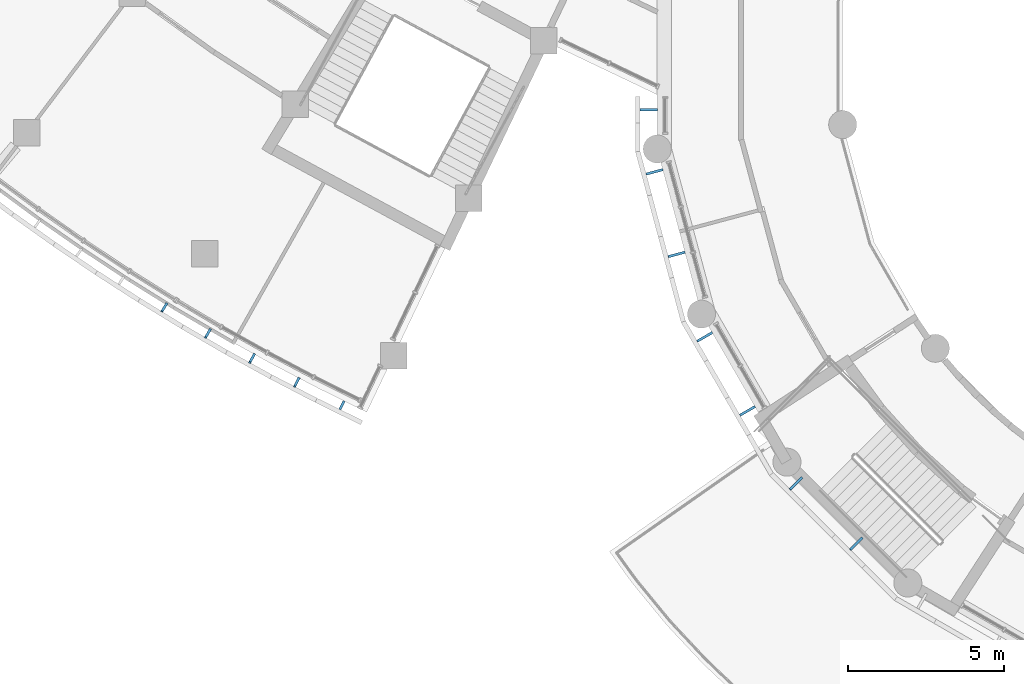
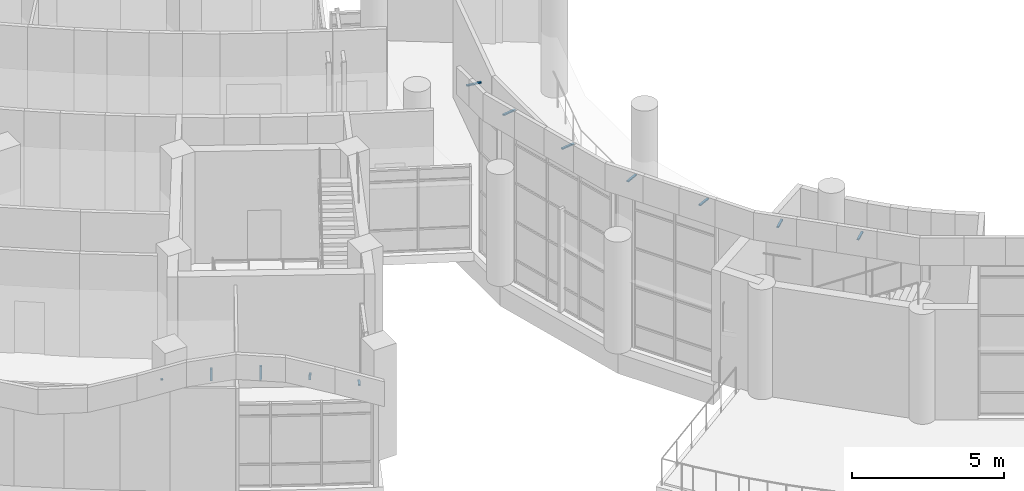
# One storey, part 101 of 136: 12 discrete accessories.
"""IFC4 building model written with IfcOpenShell, lengths in metres."""

import ifcopenshell
import ifcopenshell.guid

model = None  # the IFC model being written
_history = None  # IfcOwnerHistory: only IFC2X3 demands one
_inside = {}  # id of a spatial element -> (the spatial element, [elements in it])
_under = {}  # id of a project, library or spatial element -> (it, [spatial elements below it])
_declared = {}  # id of a project -> (the project, [libraries it declares])
_typed = {}  # id of a type object -> (the type object, [elements of that type])
_made_of = {}  # id of a material, layer set ... -> (it, [elements and type objects made of it])


def new_model(schema):
    """Start an empty IFC model of exactly this schema.

    Asked for "IFC4X3", IfcOpenShell would pick the latest addendum, in which some entities
    have other attributes; the version numbers below select the first issue.
    IFC2X3 requires an IfcOwnerHistory on every rooted entity: one is made here for all.
    """
    global model, _history
    if schema == "IFC4X3":
        model = ifcopenshell.file(schema_version=(4, 3, 0, 0))
    else:
        model = ifcopenshell.file(schema=schema)
    _inside.clear()
    _under.clear()
    _declared.clear()
    _typed.clear()
    _made_of.clear()
    _history = None
    if model.schema == "IFC2X3":
        org = make("IfcOrganization", Name="unknown")
        user = make(
            "IfcPersonAndOrganization",
            ThePerson=make("IfcPerson", FamilyName="unknown"),
            TheOrganization=org,
        )
        app = make(
            "IfcApplication",
            ApplicationDeveloper=org,
            Version="unknown",
            ApplicationFullName="unknown",
            ApplicationIdentifier="unknown",
        )
        _history = make(
            "IfcOwnerHistory",
            OwningUser=user,
            OwningApplication=app,
            ChangeAction="ADDED",
            CreationDate=0,
        )
    return model


def make(cls, **values):
    """One entity of the class cls with the attributes given. An attribute that is None is left unset."""
    return model.create_entity(
        cls, **{name: value for name, value in values.items() if value is not None}
    )


def rooted(cls, **values):
    """An entity with a GlobalId (a new one), such as an element, a storey or a relation."""
    return make(cls, GlobalId=ifcopenshell.guid.new(), OwnerHistory=_history, **values)


def si_unit(unit_type, name, prefix=None):
    """IfcSIUnit, for example si_unit("LENGTHUNIT", "METRE", prefix="MILLI")."""
    return make("IfcSIUnit", UnitType=unit_type, Prefix=prefix, Name=name)


def assignment(units):
    """IfcUnitAssignment: the units of a project."""
    return None if units is None else make("IfcUnitAssignment", Units=units)


def point(xyz):
    """IfcCartesianPoint."""
    return None if xyz is None else make("IfcCartesianPoint", Coordinates=xyz)


def direction(xyz):
    """IfcDirection."""
    return None if xyz is None else make("IfcDirection", DirectionRatios=xyz)


def frame(location, z_axis=None, x_axis=None):
    """IfcAxis2Placement3D, a coordinate frame: its origin and axes. An axis left out is left unset."""
    return make(
        "IfcAxis2Placement3D",
        Location=point(location),
        Axis=direction(z_axis),
        RefDirection=direction(x_axis),
    )


def frame_2d(location, x_axis=None):
    """IfcAxis2Placement2D, a coordinate frame in the plane: its origin and x axis."""
    return make(
        "IfcAxis2Placement2D", Location=point(location), RefDirection=direction(x_axis)
    )


def origin():
    """The frame at (0, 0, 0) with its axes left unset."""
    return frame((0.0, 0.0, 0.0))


def origin_2d():
    """The frame at (0, 0) in the plane with its x axis left unset."""
    return frame_2d((0.0, 0.0))


def place(relative_to, where):
    """IfcLocalPlacement: puts the frame where relative to a parent placement (None: the world)."""
    return make(
        "IfcLocalPlacement", PlacementRelTo=relative_to, RelativePlacement=where
    )


def context(
    kind, dimensions, precision=None, world=None, true_north=None, identifier=None
):
    """IfcGeometricRepresentationContext, for example the 3D "Model" context."""
    return make(
        "IfcGeometricRepresentationContext",
        ContextIdentifier=identifier,
        ContextType=kind,
        CoordinateSpaceDimension=dimensions,
        Precision=precision,
        WorldCoordinateSystem=world,
        TrueNorth=true_north,
    )


def subcontext(parent, identifier, kind, view, scale=None):
    """IfcGeometricRepresentationSubContext, for example "Body" below "Model"."""
    return make(
        "IfcGeometricRepresentationSubContext",
        ContextIdentifier=identifier,
        ContextType=kind,
        ParentContext=parent,
        TargetScale=scale,
        TargetView=view,
    )


def project(units=None, contexts=None):
    """IfcProject with its units and contexts."""
    return rooted(
        "IfcProject",
        Name="project",
        RepresentationContexts=contexts,
        UnitsInContext=assignment(units),
    )


def spatial(cls, under=None, at=None, **own):
    """A site, building, storey or space (cls), placed at a placement, below another one or the project."""
    s = rooted(cls, ObjectPlacement=at, **own)
    if under is not None:
        _under.setdefault(under.id(), (under, []))[1].append(s)
    return s


def profile(cls, at=None, kind="AREA", **sizes):
    """A parametric profile (cls). Its sizes go by their IFC names, for example OverallWidth=200.0."""
    return make(cls, ProfileType=kind, Position=at, **sizes)


def rectangle(**sizes):
    """IfcRectangleProfileDef."""
    return profile("IfcRectangleProfileDef", **sizes)


def extrude(swept, where, along, depth):
    """IfcExtrudedAreaSolid: the profile swept, set in the frame where, extruded along a direction by depth."""
    return make(
        "IfcExtrudedAreaSolid",
        SweptArea=swept,
        Position=where,
        ExtrudedDirection=direction(along),
        Depth=depth,
    )


def shape(context_of_items, identifier, shape_type, items):
    """IfcShapeRepresentation: the items that make up one representation, for example the "Body"."""
    return make(
        "IfcShapeRepresentation",
        ContextOfItems=context_of_items,
        RepresentationIdentifier=identifier,
        RepresentationType=shape_type,
        Items=items,
    )


def material(Name=None, Category=None):
    """IfcMaterial."""
    return make("IfcMaterial", Name=Name, Category=Category)


def material_profile(
    of_material, cross_section, Name=None, Category=None, Priority=None
):
    """IfcMaterialProfile: a cross section and its material."""
    return make(
        "IfcMaterialProfile",
        Name=Name,
        Material=of_material,
        Profile=cross_section,
        Priority=Priority,
        Category=Category,
    )


def profile_set(profiles, Name=None, composite=None):
    """IfcMaterialProfileSet."""
    return make(
        "IfcMaterialProfileSet",
        Name=Name,
        MaterialProfiles=profiles,
        CompositeProfile=composite,
    )


def made_of(thing, what):
    """Note that an element or type object is made of a material, layer set ...; save() writes the relation."""
    if what is not None:
        _made_of.setdefault(what.id(), (what, []))[1].append(thing)
    return thing


def type_object(cls, material=None, **own):
    """A type object (cls), such as IfcWallType, which elements share."""
    return made_of(rooted(cls, **own), material)


def element(
    cls,
    number,
    at=None,
    inside=None,
    cuts=None,
    type_object=None,
    material=None,
    context=None,
    identifier="Body",
    shape_type=None,
    held_by="IfcProductDefinitionShape",
    body=None,
    shapes=None,
    **own,
):
    """One element of the class cls, such as IfcWall. Its Tag is "e" and its number.

    at: its placement. inside: the storey or other place that contains it. cuts: it is an
    opening in that element (IfcRelVoidsElement). A single representation is given by context,
    identifier, shape_type and body (its items); several are given by shapes. held_by: the class
    of the entity that holds the representations. save() writes the other relations.
    """
    e = rooted(cls, Tag="e%d" % number, ObjectPlacement=at, **own)
    if body is not None:
        shapes = [shape(context, identifier, shape_type, body)]
    if shapes is not None:
        e.Representation = make(held_by, Representations=shapes)
    if inside is not None:
        _inside.setdefault(inside.id(), (inside, []))[1].append(e)
    if cuts is not None:
        rooted(
            "IfcRelVoidsElement", RelatingBuildingElement=cuts, RelatedOpeningElement=e
        )
    if type_object is not None:
        _typed.setdefault(type_object.id(), (type_object, []))[1].append(e)
    return made_of(e, material)


def aggregate(whole, parts):
    """IfcRelAggregates: a whole, such as a stair, and the parts it consists of."""
    return rooted("IfcRelAggregates", RelatingObject=whole, RelatedObjects=parts)


def save(model, path):
    """Write the relations noted so far, then the file.

    IfcRelAggregates (storeys below a building ...), IfcRelContainedInSpatialStructure (elements
    in a storey), IfcRelDefinesByType, IfcRelAssociatesMaterial and IfcRelDeclares: one each for
    every whole, place, type object, material and project.
    """
    for whole, parts in _under.values():
        aggregate(whole, parts)
    for where, things in _inside.values():
        rooted(
            "IfcRelContainedInSpatialStructure",
            RelatedElements=things,
            RelatingStructure=where,
        )
    for kind, things in _typed.values():
        rooted("IfcRelDefinesByType", RelatedObjects=things, RelatingType=kind)
    for what, things in _made_of.values():
        rooted("IfcRelAssociatesMaterial", RelatedObjects=things, RelatingMaterial=what)
    for by, libraries in _declared.values():
        rooted("IfcRelDeclares", RelatingContext=by, RelatedDefinitions=libraries)
    model.write(path)


model = new_model("IFC4")

# Units and contexts
model_context = context("Model", 3, precision=1e-05, world=origin(), true_north=direction((0.0, 1.0)))
body_context = subcontext(model_context, "Body", "Model", "MODEL_VIEW")
ifc_project = project(units=[si_unit("LENGTHUNIT", "METRE"), si_unit("AREAUNIT", "SQUARE_METRE"), si_unit("VOLUMEUNIT", "CUBIC_METRE"), si_unit("PLANEANGLEUNIT", "RADIAN"), si_unit("MASSUNIT", "GRAM", prefix="KILO")], contexts=[model_context])

# Site, building, storey
site_placement = place(None, origin())
site = spatial("IfcSite", under=ifc_project, at=site_placement, CompositionType="ELEMENT")
building_placement = place(site_placement, origin())
building = spatial("IfcBuilding", under=site, at=building_placement, Name="Bougainvillea Quay General Hospital", CompositionType="ELEMENT")
storey_placement = place(building_placement, frame((0.0, 0.0, 5.39990234375)))
storey = spatial("IfcBuildingStorey", under=building, at=storey_placement, Name="L01", CompositionType="ELEMENT", Elevation=5.39990234375)

# Discrete accessories
ifc_material = material(Name="Stainless steel bracket, grade 316", Category="steel")
ifc_material_profile = material_profile(ifc_material, rectangle(XDim=0.080078125, YDim=0.050048828125, at=origin_2d()))
ifc_profile_set = profile_set([ifc_material_profile], Name="Stainless steel bracket, grade 316")
discrete_accessory_type = type_object("IfcDiscreteAccessoryType", Name="Stainless steel stand-off bracket 80x50", PredefinedType="BRACKET", material=ifc_profile_set)
discrete_accessory_1_placement = place(storey_placement, frame((72.649658203125, 66.3056640625, 4.440185546875), z_axis=(-0.402567514544, -0.658175905213, 0.636194839676), x_axis=(0.853080554624, -0.521779232361, 0.0)))
element("IfcDiscreteAccessory", 1, at=discrete_accessory_1_placement, inside=storey, type_object=discrete_accessory_type, Name="Fascia bracket a01 31", PredefinedType="BRACKET", context=body_context, shape_type="SweptSolid", body=[
    extrude(rectangle(XDim=0.080078125, YDim=0.050048828125, at=origin_2d()), origin(), (0.0, 0.0, 1.0), 0.388671875),
])
discrete_accessory_2_placement = place(storey_placement, frame((74.043701171875, 65.47412109375, 4.440185546875), z_axis=(-0.199183202644, -0.342285697748, 0.918241010248), x_axis=(0.86430974307, -0.502959906984, 0.0)))
element("IfcDiscreteAccessory", 2, at=discrete_accessory_2_placement, inside=storey, type_object=discrete_accessory_type, Name="Fascia bracket a01 32", PredefinedType="BRACKET", context=body_context, shape_type="SweptSolid", body=[
    extrude(rectangle(XDim=0.080078125, YDim=0.050048828125, at=origin_2d()), origin(), (0.0, 0.0, 1.0), 0.757568359375),
])
discrete_accessory_3_placement = place(storey_placement, frame((75.456298828125, 64.67529296875, 4.440185546875), z_axis=(-0.17309420606, -0.314610415068, 0.933305246187), x_axis=(0.876147132812, -0.482043775673, 0.0)))
element("IfcDiscreteAccessory", 3, at=discrete_accessory_3_placement, inside=storey, type_object=discrete_accessory_type, Name="Fascia bracket a01 33", PredefinedType="BRACKET", context=body_context, shape_type="SweptSolid", body=[
    extrude(rectangle(XDim=0.080078125, YDim=0.050048828125, at=origin_2d()), origin(), (0.0, 0.0, 1.0), 0.8349609375),
])
discrete_accessory_4_placement = place(storey_placement, frame((76.887451171875, 63.909423828125, 4.440185546875), z_axis=(-0.256210936692, -0.491672396116, 0.832234468655), x_axis=(0.886816844414, -0.462121071218, 0.0)))
element("IfcDiscreteAccessory", 4, at=discrete_accessory_4_placement, inside=storey, type_object=discrete_accessory_type, Name="Fascia bracket a01 34", PredefinedType="BRACKET", context=body_context, shape_type="SweptSolid", body=[
    extrude(rectangle(XDim=0.080078125, YDim=0.050048828125, at=origin_2d()), origin(), (0.0, 0.0, 1.0), 0.541259765625),
])
discrete_accessory_5_placement = place(storey_placement, frame((78.335693359375, 63.177001953125, 4.33837890625), z_axis=(-0.441018877805, -0.897497826972, 0.0), x_axis=(0.897497826972, -0.441018877805, 0.0)))
element("IfcDiscreteAccessory", 5, at=discrete_accessory_5_placement, inside=storey, type_object=discrete_accessory_type, Name="Fascia bracket a01 35", PredefinedType="BRACKET", context=body_context, shape_type="SweptSolid", body=[
    extrude(rectangle(XDim=0.080078125, YDim=0.050048828125, at=origin_2d()), origin(), (0.0, 0.0, 1.0), 0.300048828125),
])
discrete_accessory_6_placement = place(storey_placement, frame((88.3798828125, 72.519775390625, 7.14013671875), z_axis=(-0.994086591779, 0.0, 0.108590276011), x_axis=(0.0, -1.0, 0.0)))
element("IfcDiscreteAccessory", 6, at=discrete_accessory_6_placement, inside=storey, type_object=discrete_accessory_type, Name="Fascia bracket e0 1", PredefinedType="BRACKET", context=body_context, shape_type="SweptSolid", body=[
    extrude(rectangle(XDim=0.080078125, YDim=0.050048828125, at=origin_2d()), origin(), (0.0, 0.0, 1.0), 0.552978515625),
])
for number, where, z_axis, x_axis, name in (
    (7, (88.557373046875, 70.59716796875, 7.14013671875), (-0.96022399879, -0.257265896735, 0.108554735157), (0.258795254151, -0.965932200741, 0.0), "Fascia bracket e0 3"),
    (8, (89.266845703125, 67.94970703125, 7.14013671875), (-0.96022399879, -0.257265896735, 0.108554735157), (0.258795254151, -0.965932200741, 0.0), "Fascia bracket e0 5"),
):
    element("IfcDiscreteAccessory", number, at=place(storey_placement, frame(where, z_axis=z_axis, x_axis=x_axis)), inside=storey, type_object=discrete_accessory_type, Name=name, PredefinedType="BRACKET", context=body_context, shape_type="SweptSolid", body=[
        extrude(rectangle(XDim=0.080078125, YDim=0.050048828125, at=origin_2d()), origin(), (0.0, 0.0, 1.0), 0.55322265625),
    ])
for number, where, z_axis, x_axis, name in (
    (9, (90.1416015625, 65.37060546875, 7.14013671875), (-0.860796598273, -0.497241294851, 0.108537141556), (0.500196256984, -0.865912065108, 0.0), "Fascia bracket e0 7"),
    (10, (91.51220703125, 62.99658203125, 7.14013671875), (-0.860796598273, -0.497241294851, 0.108537141556), (0.500196256984, -0.865912065108, 0.0), "Fascia bracket e0 9"),
):
    element("IfcDiscreteAccessory", number, at=place(storey_placement, frame(where, z_axis=z_axis, x_axis=x_axis)), inside=storey, type_object=discrete_accessory_type, Name=name, PredefinedType="BRACKET", context=body_context, shape_type="SweptSolid", body=[
        extrude(rectangle(XDim=0.080078125, YDim=0.050048828125, at=origin_2d()), origin(), (0.0, 0.0, 1.0), 0.553466796875),
    ])
for number, where, z_axis, x_axis, name in (
    (11, (93.0244140625, 60.7314453125, 7.14013671875), (-0.702928468265, -0.702928468265, 0.108550158941), (0.707106781187, -0.707106781187, 0.0), "Fascia bracket e0 11"),
    (12, (94.96240234375, 58.79345703125, 7.14013671875), (-0.702928468265, -0.702928468265, 0.108550158941), (0.707106781187, -0.707106781187, 0.0), "Fascia bracket e0 13"),
):
    element("IfcDiscreteAccessory", number, at=place(storey_placement, frame(where, z_axis=z_axis, x_axis=x_axis)), inside=storey, type_object=discrete_accessory_type, Name=name, PredefinedType="BRACKET", context=body_context, shape_type="SweptSolid", body=[
        extrude(rectangle(XDim=0.080078125, YDim=0.050048828125, at=origin_2d()), origin(), (0.0, 0.0, 1.0), 0.55322265625),
    ])

save(model, "model.ifc")
